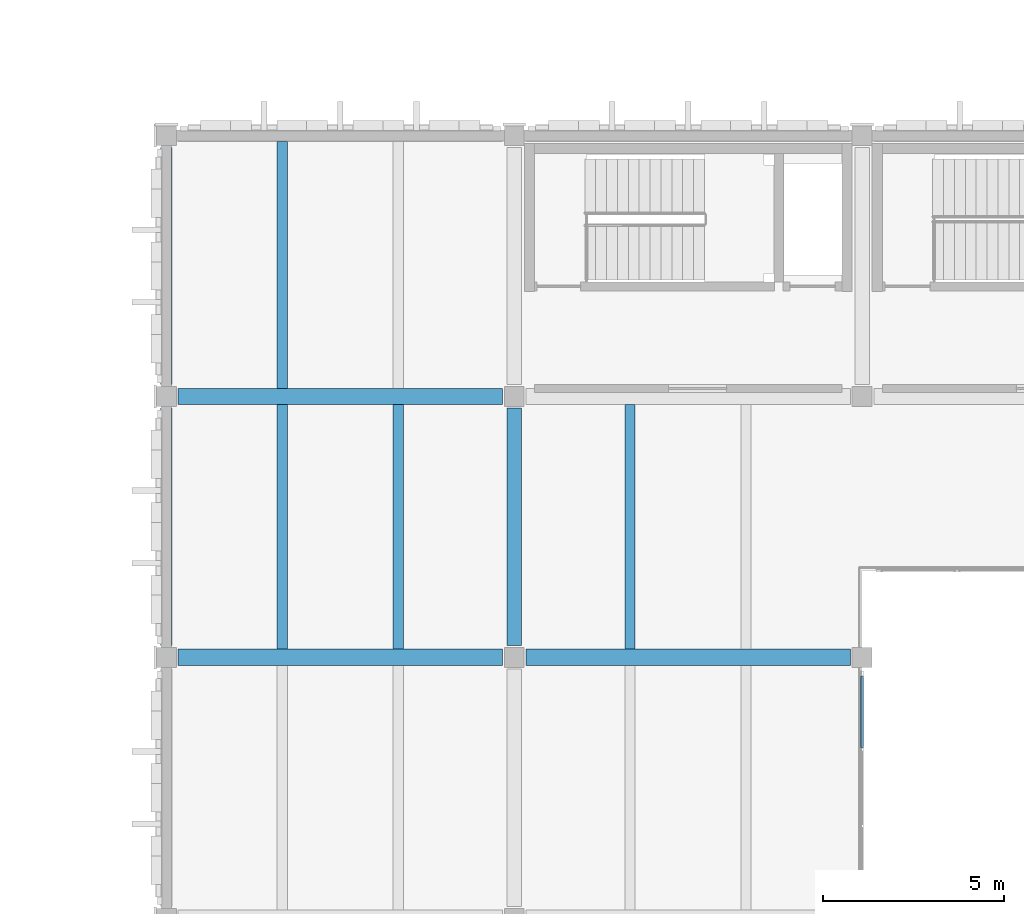
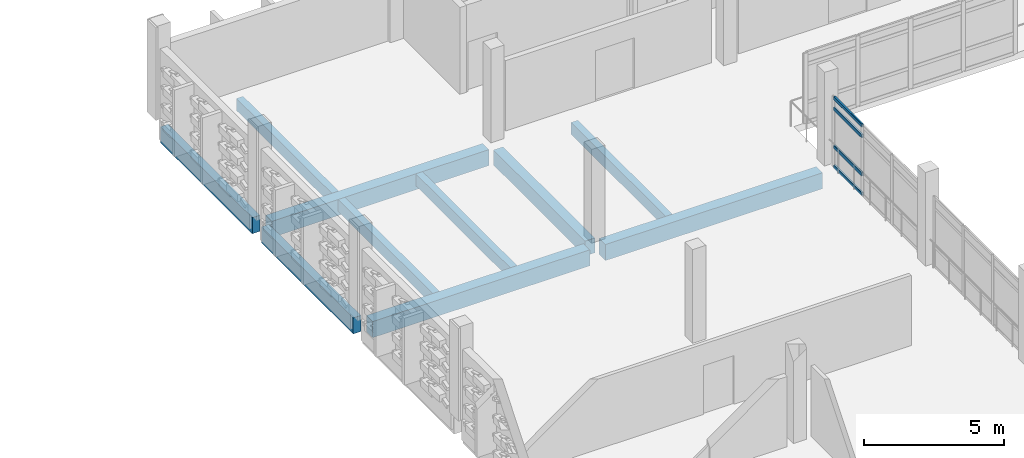
# One storey, part 12 of 72: 10 beams, 4 members, 1 element without a shape of its own.
"""IFC4 building model written with IfcOpenShell, lengths in metres."""

from ifc_helpers import new_model, si_unit, direction, frame, origin, origin_2d, place, context, subcontext, project, spatial, rectangle, hollow_rectangle, extrude, material, layer, layer_set, material_profile, profile_set, type_object, element, aggregate, save


model = new_model("IFC4")

# Units and contexts
model_context = context("Model", 3, precision=1e-05, world=origin(), true_north=direction((0.0, 1.0)))
body_context = subcontext(model_context, "Body", "Model", "MODEL_VIEW")
ifc_project = project(units=[si_unit("LENGTHUNIT", "METRE"), si_unit("AREAUNIT", "SQUARE_METRE"), si_unit("VOLUMEUNIT", "CUBIC_METRE"), si_unit("PLANEANGLEUNIT", "RADIAN"), si_unit("MASSUNIT", "GRAM", prefix="KILO")], contexts=[model_context])

# Site, building, storey
site_placement = place(None, origin())
site = spatial("IfcSite", under=ifc_project, at=site_placement, CompositionType="ELEMENT")
building_placement = place(site_placement, origin())
building = spatial("IfcBuilding", under=site, at=building_placement, Name="Asteropetra Specialist Clinic", CompositionType="ELEMENT")
storey_placement = place(building_placement, frame((0.0, 0.0, 12.580078125)))
storey = spatial("IfcBuildingStorey", under=building, at=storey_placement, Name="L03", CompositionType="ELEMENT", Elevation=12.580078125)

# Beams
ifc_material_1 = material(Name="Concrete C35/45", Category="concrete")
ifc_material_profile_1 = material_profile(ifc_material_1, rectangle(XDim=0.39990234375, YDim=0.64990234375, at=origin_2d()), Name="RCB 400x650")
ifc_profile_set_1 = profile_set([ifc_material_profile_1], Name="Concrete C35/45")
beam_type_1 = type_object("IfcBeamType", Name="BM-RC400x650", PredefinedType="BEAM", material=ifc_profile_set_1)
beam_1_placement = place(storey_placement, frame((115.199951171875, 33.925048828125, -0.625), z_axis=(0.0, 1.0, 0.0), x_axis=(-1.0, 0.0, 0.0)))
element("IfcBeam", 1, at=beam_1_placement, inside=storey, type_object=beam_type_1, Name="Beam BBM07-1544", PredefinedType="BEAM", context=body_context, shape_type="SweptSolid", body=[
    extrude(rectangle(XDim=0.39990234375, YDim=0.64990234375, at=origin_2d()), origin(), (0.0, 0.0, 1.0), 6.550048828125),
])
ifc_material_2 = material(Name="Concrete C35/45", Category="concrete")
ifc_material_profile_2 = material_profile(ifc_material_2, rectangle(XDim=0.449951171875, YDim=0.699951171875, at=origin_2d()), Name="RCB 450x700")
ifc_profile_set_2 = profile_set([ifc_material_profile_2], Name="Concrete C35/45")
beam_type_2 = type_object("IfcBeamType", Name="BM-RC450x700", PredefinedType="BEAM", material=ifc_profile_set_2)
beam_2_placement = place(storey_placement, frame((105.925048828125, 33.60009765625, -0.650146484375), z_axis=(1.0, 0.0, 0.0), x_axis=(0.0, 1.0, 0.0)))
element("IfcBeam", 2, at=beam_2_placement, inside=storey, type_object=beam_type_2, Name="Beam BBM05-1461", PredefinedType="BEAM", context=body_context, shape_type="SweptSolid", body=[
    extrude(rectangle(XDim=0.449951171875, YDim=0.699951171875, at=origin_2d()), origin(), (0.0, 0.0, 1.0), 8.949951171875),
])
beam_3_placement = place(storey_placement, frame((115.52490234375, 33.60009765625, -0.650146484375), z_axis=(1.0, 0.0, 0.0), x_axis=(0.0, 1.0, 0.0)))
element("IfcBeam", 3, at=beam_3_placement, inside=storey, type_object=beam_type_2, Name="Beam BBM05-1462", PredefinedType="BEAM", context=body_context, shape_type="SweptSolid", body=[
    extrude(rectangle(XDim=0.449951171875, YDim=0.699951171875, at=origin_2d()), origin(), (0.0, 0.0, 1.0), 8.9501953125),
])
beam_4_placement = place(storey_placement, frame((105.925048828125, 40.800048828125, -0.650146484375), z_axis=(1.0, 0.0, 0.0), x_axis=(0.0, 1.0, 0.0)))
element("IfcBeam", 4, at=beam_4_placement, inside=storey, type_object=beam_type_2, Name="Beam BBM05-1465", PredefinedType="BEAM", context=body_context, shape_type="SweptSolid", body=[
    extrude(rectangle(XDim=0.449951171875, YDim=0.699951171875, at=origin_2d()), origin(), (0.0, 0.0, 1.0), 8.949951171875),
])

# Curtain wall, members
ifc_material_3 = material(Name="Aluminium and low-E glass", Category="aluminium")
ifc_layer = layer(ifc_material_3, 0.14990234375)
ifc_layer_set = layer_set([ifc_layer], Name="Aluminium and low-E glass")
curtain_wall_type = type_object("IfcCurtainWallType", Name="CW-SYS-11", PredefinedType="USERDEFINED", material=ifc_layer_set)
curtain_wall_placement = place(storey_placement, origin())
curtain_wall = element("IfcCurtainWall", 5, at=curtain_wall_placement, inside=storey, type_object=curtain_wall_type, Name="Curtain Wall CW-087", ObjectType="STICK GLAZED COLONNADE", PredefinedType="USERDEFINED")
ifc_material_4 = material(Name="Aluminium 6063-T6", Category="aluminium")
ifc_material_profile_3 = material_profile(ifc_material_4, hollow_rectangle(XDim=0.074951171875, YDim=0.14990234375, WallThickness=0.00390625, InnerFilletRadius=0.00390625, OuterFilletRadius=0.008056640625, at=origin_2d()), Name="TRN 150x75x4.0")
ifc_profile_set_3 = profile_set([ifc_material_profile_3], Name="Aluminium 6063-T6")
member_type = type_object("IfcMemberType", Name="CWT-150x75", PredefinedType="USERDEFINED", material=ifc_profile_set_3)
member_1_placement = place(storey_placement, frame((124.800048828125, 33.090087890625, 0.037353515625), z_axis=(0.0, -1.0, 0.0), x_axis=(1.0, 0.0, 0.0)))
member_1 = element("IfcMember", 6, at=member_1_placement, type_object=member_type, Name="CW-087 transom 1.1", ObjectType="TRANSOM", PredefinedType="USERDEFINED", context=body_context, shape_type="SweptSolid", body=[
    extrude(hollow_rectangle(XDim=0.074951171875, YDim=0.14990234375, WallThickness=0.00390625, InnerFilletRadius=0.00390625, OuterFilletRadius=0.008056640625, at=origin_2d()), origin(), (0.0, 0.0, 1.0), 1.99755859375),
])
member_2_placement = place(storey_placement, frame((124.800048828125, 33.090087890625, 0.89990234375), z_axis=(0.0, -1.0, 0.0), x_axis=(1.0, 0.0, 0.0)))
member_2 = element("IfcMember", 7, at=member_2_placement, type_object=member_type, Name="CW-087 transom 1.2", ObjectType="TRANSOM", PredefinedType="USERDEFINED", context=body_context, shape_type="SweptSolid", body=[
    extrude(hollow_rectangle(XDim=0.074951171875, YDim=0.14990234375, WallThickness=0.00390625, InnerFilletRadius=0.00390625, OuterFilletRadius=0.008056640625, at=origin_2d()), origin(), (0.0, 0.0, 1.0), 1.99755859375),
])
member_3_placement = place(storey_placement, frame((124.800048828125, 33.090087890625, 2.559814453125), z_axis=(0.0, -1.0, 0.0), x_axis=(1.0, 0.0, 0.0)))
member_3 = element("IfcMember", 8, at=member_3_placement, type_object=member_type, Name="CW-087 transom 1.3", ObjectType="TRANSOM", PredefinedType="USERDEFINED", context=body_context, shape_type="SweptSolid", body=[
    extrude(hollow_rectangle(XDim=0.074951171875, YDim=0.14990234375, WallThickness=0.00390625, InnerFilletRadius=0.00390625, OuterFilletRadius=0.008056640625, at=origin_2d()), origin(), (0.0, 0.0, 1.0), 1.99755859375),
])
member_4_placement = place(storey_placement, frame((124.800048828125, 33.090087890625, 3.0224609375), z_axis=(0.0, -1.0, 0.0), x_axis=(1.0, 0.0, 0.0)))
member_4 = element("IfcMember", 9, at=member_4_placement, type_object=member_type, Name="CW-087 transom 1.4", ObjectType="TRANSOM", PredefinedType="USERDEFINED", context=body_context, shape_type="SweptSolid", body=[
    extrude(hollow_rectangle(XDim=0.074951171875, YDim=0.14990234375, WallThickness=0.00390625, InnerFilletRadius=0.00390625, OuterFilletRadius=0.008056640625, at=origin_2d()), origin(), (0.0, 0.0, 1.0), 1.99755859375),
])
aggregate(curtain_wall, [member_1, member_2, member_3, member_4])

# Beams
ifc_material_5 = material(Name="Concrete C35/45", Category="concrete")
ifc_material_profile_4 = material_profile(ifc_material_5, rectangle(XDim=0.280029296875, YDim=0.52001953125, at=origin_2d()), Name="RCJ 280x520")
ifc_profile_set_4 = profile_set([ifc_material_profile_4], Name="Concrete C35/45")
beam_type_3 = type_object("IfcBeamType", Name="JST-RC280x520", PredefinedType="JOIST", material=ifc_profile_set_4)
for number, where, z_axis, x_axis, name in (
    (10, (108.800048828125, 33.824951171875, -0.56005859375), (0.0, 1.0, 0.0), (-1.0, 0.0, 0.0), "Joist JJST01-1547"),
    (11, (112.0, 33.824951171875, -0.56005859375), (0.0, 1.0, 0.0), (-1.0, 0.0, 0.0), "Joist JJST01-1548"),
    (12, (118.39990234375, 33.824951171875, -0.56005859375), (0.0, 1.0, 0.0), (-1.0, 0.0, 0.0), "Joist JJST01-1549"),
):
    element("IfcBeam", number, at=place(storey_placement, frame(where, z_axis=z_axis, x_axis=x_axis)), inside=storey, type_object=beam_type_3, Name=name, PredefinedType="JOIST", context=body_context, shape_type="SweptSolid", body=[
        extrude(rectangle(XDim=0.280029296875, YDim=0.52001953125, at=origin_2d()), origin(), (0.0, 0.0, 1.0), 6.75),
    ])
beam_5_placement = place(storey_placement, frame((108.800048828125, 41.02490234375, -0.56005859375), z_axis=(0.0, 1.0, 0.0), x_axis=(-1.0, 0.0, 0.0)))
element("IfcBeam", 13, at=beam_5_placement, inside=storey, type_object=beam_type_3, Name="Joist JJST01-1561", PredefinedType="JOIST", context=body_context, shape_type="SweptSolid", body=[
    extrude(rectangle(XDim=0.280029296875, YDim=0.52001953125, at=origin_2d()), origin(), (0.0, 0.0, 1.0), 6.815185546875),
])
ifc_material_6 = material(Name="Concrete C35/45", Category="concrete")
ifc_material_profile_5 = material_profile(ifc_material_6, rectangle(XDim=0.320068359375, YDim=0.699951171875, at=origin_2d()), Name="RCS 320x700")
ifc_profile_set_5 = profile_set([ifc_material_profile_5], Name="Concrete C35/45")
beam_type_4 = type_object("IfcBeamType", Name="SPN-RC320x700", PredefinedType="SPANDREL", material=ifc_profile_set_5)
for number, where, z_axis, x_axis, name in (
    (14, (105.60009765625, 33.925048828125, -0.650146484375), (0.0, 1.0, 0.0), (-1.0, 0.0, 0.0), "Beam BSPN02-1543"),
    (15, (105.60009765625, 41.125, -0.650146484375), (0.0, 1.0, 0.0), (-1.0, 0.0, 0.0), "Beam BSPN02-1555"),
):
    element("IfcBeam", number, at=place(storey_placement, frame(where, z_axis=z_axis, x_axis=x_axis)), inside=storey, type_object=beam_type_4, Name=name, PredefinedType="SPANDREL", context=body_context, shape_type="SweptSolid", body=[
        extrude(rectangle(XDim=0.320068359375, YDim=0.699951171875, at=origin_2d()), origin(), (0.0, 0.0, 1.0), 6.550048828125),
    ])

save(model, "model.ifc")
